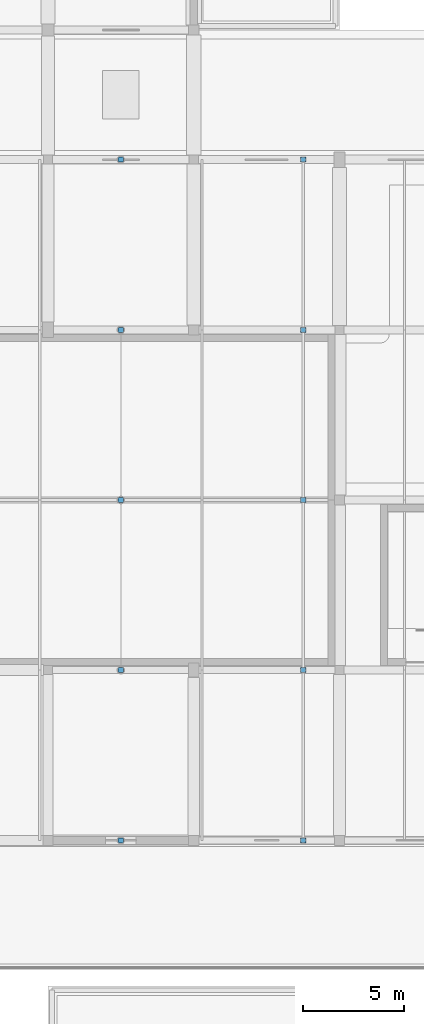
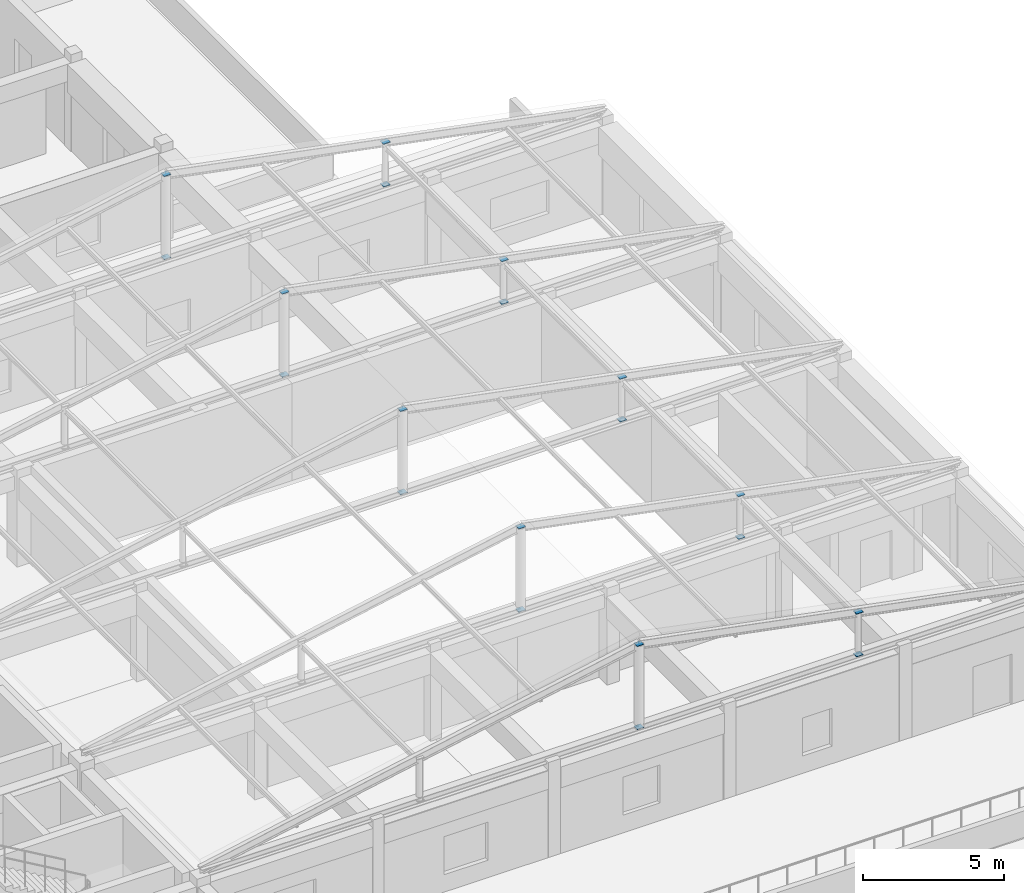
# One storey, part 66 of 74: 20 discrete accessories.
"""IFC4 building model written with IfcOpenShell, lengths in metres."""

from ifc_helpers import new_model, si_unit, direction, frame, origin, origin_2d, place, context, subcontext, project, spatial, rectangle, extrude, material, type_object, element, save


model = new_model("IFC4")

# Units and contexts
model_context = context("Model", 3, precision=1e-05, world=origin(), true_north=direction((0.0, 1.0)))
body_context = subcontext(model_context, "Body", "Model", "MODEL_VIEW")
ifc_project = project(units=[si_unit("LENGTHUNIT", "METRE"), si_unit("AREAUNIT", "SQUARE_METRE"), si_unit("VOLUMEUNIT", "CUBIC_METRE"), si_unit("PLANEANGLEUNIT", "RADIAN"), si_unit("MASSUNIT", "GRAM", prefix="KILO")], contexts=[model_context])

# Site, building, storey
site_placement = place(None, origin())
site = spatial("IfcSite", under=ifc_project, at=site_placement, CompositionType="ELEMENT")
building_placement = place(site_placement, origin())
building = spatial("IfcBuilding", under=site, at=building_placement, Name="Korsvaeld Concert Hall", CompositionType="ELEMENT")
storey_placement = place(building_placement, frame((0.0, 0.0, 9.0)))
storey = spatial("IfcBuildingStorey", under=building, at=storey_placement, Name="L02", CompositionType="ELEMENT", Elevation=9.0)

# Discrete accessories
ifc_material = material(Name="Steel S355J2", Category="steel")
discrete_accessory_type = type_object("IfcDiscreteAccessoryType", Name="ACC-GUSSET-S355", PredefinedType="BRACKET", material=ifc_material)
for number, where, z_axis, x_axis, name in (
    (1, (135.60009765625, 43.199951171875, 4.237548828125), (0.0, 0.0, 1.0), (1.0, 0.0, 0.0), "Brace and strut S355J2 gusset end-plate 103"),
    (2, (135.60009765625, 43.199951171875, 7.837646484375), (0.0, 0.0, 1.0), (1.0, 0.0, 0.0), "Brace and strut S355J2 gusset end-plate 104"),
    (3, (144.60009765625, 43.199951171875, 4.237548828125), (0.0, 0.0, 1.0), (1.0, 0.0, 0.0), "Brace and strut S355J2 gusset end-plate 105"),
    (4, (144.60009765625, 43.199951171875, 6.087646484375), (0.0, 0.0, 1.0), (1.0, 0.0, 0.0), "Brace and strut S355J2 gusset end-plate 106"),
    (5, (135.60009765625, 51.60009765625, 4.237548828125), (0.0, 0.0, 1.0), (1.0, 0.0, 0.0), "Brace and strut S355J2 gusset end-plate 109"),
    (6, (135.60009765625, 51.60009765625, 7.837646484375), (0.0, 0.0, 1.0), (1.0, 0.0, 0.0), "Brace and strut S355J2 gusset end-plate 110"),
    (7, (144.60009765625, 51.60009765625, 4.237548828125), (0.0, 0.0, 1.0), (1.0, 0.0, 0.0), "Brace and strut S355J2 gusset end-plate 111"),
    (8, (144.60009765625, 51.60009765625, 6.087646484375), (0.0, 0.0, 1.0), (1.0, 0.0, 0.0), "Brace and strut S355J2 gusset end-plate 112"),
    (9, (135.60009765625, 60.0, 4.237548828125), (0.0, 0.0, 1.0), (1.0, 0.0, 0.0), "Brace and strut S355J2 gusset end-plate 115"),
    (10, (135.60009765625, 60.0, 7.837646484375), (0.0, 0.0, 1.0), (1.0, 0.0, 0.0), "Brace and strut S355J2 gusset end-plate 116"),
    (11, (144.60009765625, 60.0, 4.237548828125), (0.0, 0.0, 1.0), (1.0, 0.0, 0.0), "Brace and strut S355J2 gusset end-plate 117"),
    (12, (144.60009765625, 60.0, 6.087646484375), (0.0, 0.0, 1.0), (1.0, 0.0, 0.0), "Brace and strut S355J2 gusset end-plate 118"),
    (13, (135.60009765625, 68.39990234375, 4.237548828125), (0.0, 0.0, 1.0), (1.0, 0.0, 0.0), "Brace and strut S355J2 gusset end-plate 121"),
    (14, (135.60009765625, 68.39990234375, 7.837646484375), (0.0, 0.0, 1.0), (1.0, 0.0, 0.0), "Brace and strut S355J2 gusset end-plate 122"),
    (15, (144.60009765625, 68.39990234375, 4.237548828125), (0.0, 0.0, 1.0), (1.0, 0.0, 0.0), "Brace and strut S355J2 gusset end-plate 123"),
    (16, (144.60009765625, 68.39990234375, 6.087646484375), (0.0, 0.0, 1.0), (1.0, 0.0, 0.0), "Brace and strut S355J2 gusset end-plate 124"),
    (17, (135.60009765625, 76.800048828125, 4.237548828125), (0.0, 0.0, 1.0), (1.0, 0.0, 0.0), "Brace and strut S355J2 gusset end-plate 127"),
    (18, (135.60009765625, 76.800048828125, 7.837646484375), (0.0, 0.0, 1.0), (1.0, 0.0, 0.0), "Brace and strut S355J2 gusset end-plate 128"),
    (19, (144.60009765625, 76.800048828125, 4.237548828125), (0.0, 0.0, 1.0), (1.0, 0.0, 0.0), "Brace and strut S355J2 gusset end-plate 129"),
    (20, (144.60009765625, 76.800048828125, 6.087646484375), (0.0, 0.0, 1.0), (1.0, 0.0, 0.0), "Brace and strut S355J2 gusset end-plate 130"),
):
    element("IfcDiscreteAccessory", number, at=place(storey_placement, frame(where, z_axis=z_axis, x_axis=x_axis)), inside=storey, type_object=discrete_accessory_type, Name=name, PredefinedType="BRACKET", context=body_context, shape_type="SweptSolid", body=[
        extrude(rectangle(XDim=0.280029296875, YDim=0.25, at=origin_2d()), origin(), (0.0, 0.0, 1.0), 0.02490234375),
    ])

save(model, "model.ifc")
